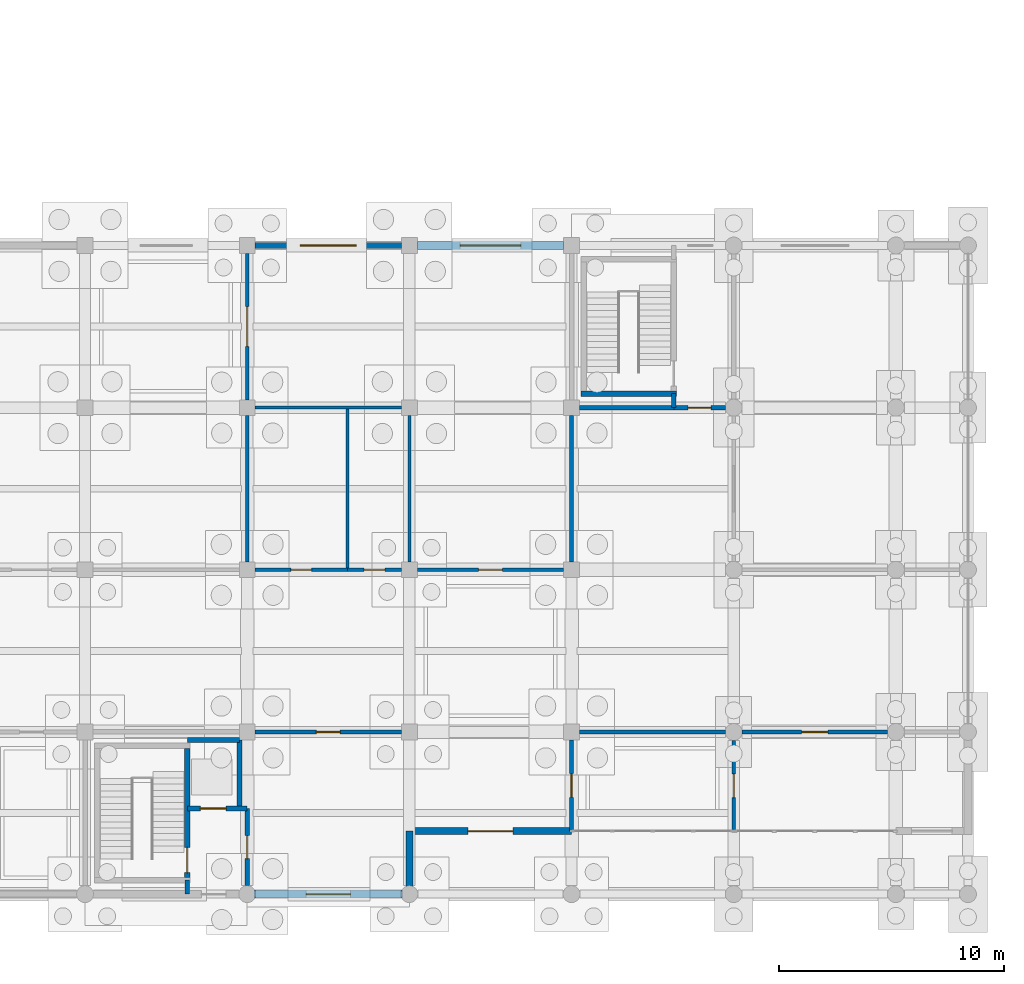
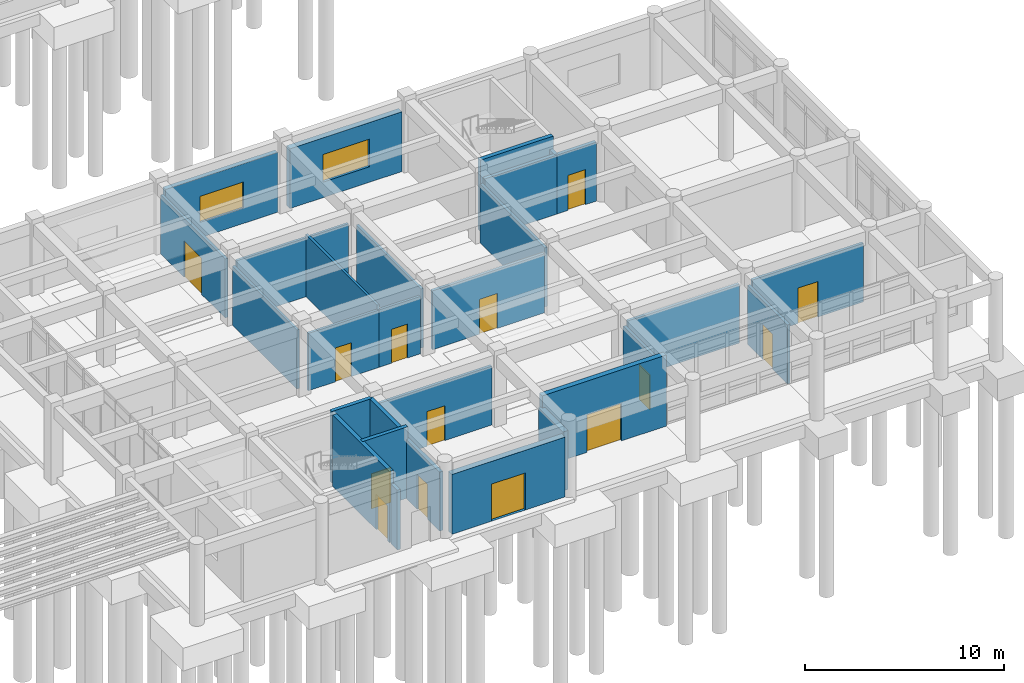
# One storey, part 66 of 79: 29 walls, 14 doors, 2 windows, 16 openings.
"""IFC4 building model written with IfcOpenShell, lengths in metres."""

import ifcopenshell
import ifcopenshell.guid

model = None  # the IFC model being written
_history = None  # IfcOwnerHistory: only IFC2X3 demands one
_inside = {}  # id of a spatial element -> (the spatial element, [elements in it])
_under = {}  # id of a project, library or spatial element -> (it, [spatial elements below it])
_declared = {}  # id of a project -> (the project, [libraries it declares])
_typed = {}  # id of a type object -> (the type object, [elements of that type])
_made_of = {}  # id of a material, layer set ... -> (it, [elements and type objects made of it])


def new_model(schema):
    """Start an empty IFC model of exactly this schema.

    Asked for "IFC4X3", IfcOpenShell would pick the latest addendum, in which some entities
    have other attributes; the version numbers below select the first issue.
    IFC2X3 requires an IfcOwnerHistory on every rooted entity: one is made here for all.
    """
    global model, _history
    if schema == "IFC4X3":
        model = ifcopenshell.file(schema_version=(4, 3, 0, 0))
    else:
        model = ifcopenshell.file(schema=schema)
    _inside.clear()
    _under.clear()
    _declared.clear()
    _typed.clear()
    _made_of.clear()
    _history = None
    if model.schema == "IFC2X3":
        org = make("IfcOrganization", Name="unknown")
        user = make(
            "IfcPersonAndOrganization",
            ThePerson=make("IfcPerson", FamilyName="unknown"),
            TheOrganization=org,
        )
        app = make(
            "IfcApplication",
            ApplicationDeveloper=org,
            Version="unknown",
            ApplicationFullName="unknown",
            ApplicationIdentifier="unknown",
        )
        _history = make(
            "IfcOwnerHistory",
            OwningUser=user,
            OwningApplication=app,
            ChangeAction="ADDED",
            CreationDate=0,
        )
    return model


def make(cls, **values):
    """One entity of the class cls with the attributes given. An attribute that is None is left unset."""
    return model.create_entity(
        cls, **{name: value for name, value in values.items() if value is not None}
    )


def rooted(cls, **values):
    """An entity with a GlobalId (a new one), such as an element, a storey or a relation."""
    return make(cls, GlobalId=ifcopenshell.guid.new(), OwnerHistory=_history, **values)


def si_unit(unit_type, name, prefix=None):
    """IfcSIUnit, for example si_unit("LENGTHUNIT", "METRE", prefix="MILLI")."""
    return make("IfcSIUnit", UnitType=unit_type, Prefix=prefix, Name=name)


def assignment(units):
    """IfcUnitAssignment: the units of a project."""
    return None if units is None else make("IfcUnitAssignment", Units=units)


def point(xyz):
    """IfcCartesianPoint."""
    return None if xyz is None else make("IfcCartesianPoint", Coordinates=xyz)


def direction(xyz):
    """IfcDirection."""
    return None if xyz is None else make("IfcDirection", DirectionRatios=xyz)


def frame(location, z_axis=None, x_axis=None):
    """IfcAxis2Placement3D, a coordinate frame: its origin and axes. An axis left out is left unset."""
    return make(
        "IfcAxis2Placement3D",
        Location=point(location),
        Axis=direction(z_axis),
        RefDirection=direction(x_axis),
    )


def frame_2d(location, x_axis=None):
    """IfcAxis2Placement2D, a coordinate frame in the plane: its origin and x axis."""
    return make(
        "IfcAxis2Placement2D", Location=point(location), RefDirection=direction(x_axis)
    )


def origin():
    """The frame at (0, 0, 0) with its axes left unset."""
    return frame((0.0, 0.0, 0.0))


def place(relative_to, where):
    """IfcLocalPlacement: puts the frame where relative to a parent placement (None: the world)."""
    return make(
        "IfcLocalPlacement", PlacementRelTo=relative_to, RelativePlacement=where
    )


def context(
    kind, dimensions, precision=None, world=None, true_north=None, identifier=None
):
    """IfcGeometricRepresentationContext, for example the 3D "Model" context."""
    return make(
        "IfcGeometricRepresentationContext",
        ContextIdentifier=identifier,
        ContextType=kind,
        CoordinateSpaceDimension=dimensions,
        Precision=precision,
        WorldCoordinateSystem=world,
        TrueNorth=true_north,
    )


def subcontext(parent, identifier, kind, view, scale=None):
    """IfcGeometricRepresentationSubContext, for example "Body" below "Model"."""
    return make(
        "IfcGeometricRepresentationSubContext",
        ContextIdentifier=identifier,
        ContextType=kind,
        ParentContext=parent,
        TargetScale=scale,
        TargetView=view,
    )


def project(units=None, contexts=None):
    """IfcProject with its units and contexts."""
    return rooted(
        "IfcProject",
        Name="project",
        RepresentationContexts=contexts,
        UnitsInContext=assignment(units),
    )


def spatial(cls, under=None, at=None, **own):
    """A site, building, storey or space (cls), placed at a placement, below another one or the project."""
    s = rooted(cls, ObjectPlacement=at, **own)
    if under is not None:
        _under.setdefault(under.id(), (under, []))[1].append(s)
    return s


def profile(cls, at=None, kind="AREA", **sizes):
    """A parametric profile (cls). Its sizes go by their IFC names, for example OverallWidth=200.0."""
    return make(cls, ProfileType=kind, Position=at, **sizes)


def rectangle(**sizes):
    """IfcRectangleProfileDef."""
    return profile("IfcRectangleProfileDef", **sizes)


def extrude(swept, where, along, depth):
    """IfcExtrudedAreaSolid: the profile swept, set in the frame where, extruded along a direction by depth."""
    return make(
        "IfcExtrudedAreaSolid",
        SweptArea=swept,
        Position=where,
        ExtrudedDirection=direction(along),
        Depth=depth,
    )


def shape(context_of_items, identifier, shape_type, items):
    """IfcShapeRepresentation: the items that make up one representation, for example the "Body"."""
    return make(
        "IfcShapeRepresentation",
        ContextOfItems=context_of_items,
        RepresentationIdentifier=identifier,
        RepresentationType=shape_type,
        Items=items,
    )


def material(Name=None, Category=None):
    """IfcMaterial."""
    return make("IfcMaterial", Name=Name, Category=Category)


def layer(
    of_material, thickness, ventilated=None, Name=None, Category=None, Priority=None
):
    """IfcMaterialLayer: one layer of a wall or slab, of a material (None: an air gap)."""
    return make(
        "IfcMaterialLayer",
        Material=of_material,
        LayerThickness=thickness,
        IsVentilated=ventilated,
        Name=Name,
        Category=Category,
        Priority=Priority,
    )


def layer_set(layers, Name=None):
    """IfcMaterialLayerSet."""
    return make("IfcMaterialLayerSet", MaterialLayers=layers, LayerSetName=Name)


def made_of(thing, what):
    """Note that an element or type object is made of a material, layer set ...; save() writes the relation."""
    if what is not None:
        _made_of.setdefault(what.id(), (what, []))[1].append(thing)
    return thing


def type_object(cls, material=None, **own):
    """A type object (cls), such as IfcWallType, which elements share."""
    return made_of(rooted(cls, **own), material)


def element(
    cls,
    number,
    at=None,
    inside=None,
    cuts=None,
    type_object=None,
    material=None,
    context=None,
    identifier="Body",
    shape_type=None,
    held_by="IfcProductDefinitionShape",
    body=None,
    shapes=None,
    **own,
):
    """One element of the class cls, such as IfcWall. Its Tag is "e" and its number.

    at: its placement. inside: the storey or other place that contains it. cuts: it is an
    opening in that element (IfcRelVoidsElement). A single representation is given by context,
    identifier, shape_type and body (its items); several are given by shapes. held_by: the class
    of the entity that holds the representations. save() writes the other relations.
    """
    e = rooted(cls, Tag="e%d" % number, ObjectPlacement=at, **own)
    if body is not None:
        shapes = [shape(context, identifier, shape_type, body)]
    if shapes is not None:
        e.Representation = make(held_by, Representations=shapes)
    if inside is not None:
        _inside.setdefault(inside.id(), (inside, []))[1].append(e)
    if cuts is not None:
        rooted(
            "IfcRelVoidsElement", RelatingBuildingElement=cuts, RelatedOpeningElement=e
        )
    if type_object is not None:
        _typed.setdefault(type_object.id(), (type_object, []))[1].append(e)
    return made_of(e, material)


def fill(opening, filler):
    """IfcRelFillsElement: the door or window that sits in an opening."""
    return rooted(
        "IfcRelFillsElement",
        RelatingOpeningElement=opening,
        RelatedBuildingElement=filler,
    )


def aggregate(whole, parts):
    """IfcRelAggregates: a whole, such as a stair, and the parts it consists of."""
    return rooted("IfcRelAggregates", RelatingObject=whole, RelatedObjects=parts)


def save(model, path):
    """Write the relations noted so far, then the file.

    IfcRelAggregates (storeys below a building ...), IfcRelContainedInSpatialStructure (elements
    in a storey), IfcRelDefinesByType, IfcRelAssociatesMaterial and IfcRelDeclares: one each for
    every whole, place, type object, material and project.
    """
    for whole, parts in _under.values():
        aggregate(whole, parts)
    for where, things in _inside.values():
        rooted(
            "IfcRelContainedInSpatialStructure",
            RelatedElements=things,
            RelatingStructure=where,
        )
    for kind, things in _typed.values():
        rooted("IfcRelDefinesByType", RelatedObjects=things, RelatingType=kind)
    for what, things in _made_of.values():
        rooted("IfcRelAssociatesMaterial", RelatedObjects=things, RelatingMaterial=what)
    for by, libraries in _declared.values():
        rooted("IfcRelDeclares", RelatingContext=by, RelatedDefinitions=libraries)
    model.write(path)


model = new_model("IFC4")

# Units and contexts
model_context = context("Model", 3, precision=1e-05, world=origin(), true_north=direction((0.0, 1.0)))
body_context = subcontext(model_context, "Body", "Model", "MODEL_VIEW")
ifc_project = project(units=[si_unit("LENGTHUNIT", "METRE"), si_unit("AREAUNIT", "SQUARE_METRE"), si_unit("VOLUMEUNIT", "CUBIC_METRE"), si_unit("PLANEANGLEUNIT", "RADIAN"), si_unit("MASSUNIT", "GRAM", prefix="KILO")], contexts=[model_context])

# Site, building, storey
site_placement = place(None, origin())
site = spatial("IfcSite", under=ifc_project, at=site_placement, CompositionType="ELEMENT")
building_placement = place(site_placement, origin())
building = spatial("IfcBuilding", under=site, at=building_placement, Name="Kavelor Marine Aquarium", CompositionType="ELEMENT")
storey_placement = place(building_placement, origin())
storey = spatial("IfcBuildingStorey", under=building, at=storey_placement, Name="L00", CompositionType="ELEMENT", Elevation=0.0)

# Wall, opening, door
ifc_material_1 = material(Name="Concrete C45/55", Category="concrete")
ifc_layer_1 = layer(ifc_material_1, 0.360107421875)
ifc_layer_set_1 = layer_set([ifc_layer_1], Name="WL-EX1")
wall_type_1 = type_object("IfcWallType", Name="WL-EX1", PredefinedType="STANDARD", material=ifc_layer_set_1)
wall_1_placement = place(storey_placement, frame((139.68994140625, 2.800048828125, 0.0), z_axis=(0.0, 0.0, 1.0), x_axis=(-1.0, 0.0, 0.0)))
wall_1 = element("IfcWall", 1, at=wall_1_placement, inside=storey, type_object=wall_type_1, Name="ew:x:L00:18_00", PredefinedType="STANDARD", context=body_context, shape_type="SweptSolid", body=[
    extrude(rectangle(XDim=6.579833984375, YDim=0.360107421875, at=frame_2d((3.2900390625, 0.0))), origin(), (0.0, 0.0, 1.0), 3.669921875),
])
opening_1_placement = place(wall_1_placement, frame((2.31005859375, 0.0, 0.0)))
opening_1 = element("IfcOpeningElement", 2, at=opening_1_placement, cuts=wall_1, Name="Opening ED05", PredefinedType="OPENING", context=body_context, shape_type="SweptSolid", body=[
    extrude(rectangle(XDim=1.9599609375, YDim=2.280029296875, at=frame_2d((0.97998046875, 1.14013671875))), frame((0.0, 0.18994140625, 0.0), z_axis=(0.0, -1.0, 0.0), x_axis=(1.0, 0.0, 0.0)), (0.0, 0.0, 1.0), 0.380107),
])
ifc_material_2 = material(Name="Marine-Grade Anodised Aluminium and Laminated Safety Glass", Category="aluminium")
door_type_1 = type_object("IfcDoorType", Name="DR-ED05", OperationType="NOTDEFINED", PredefinedType="DOOR", material=ifc_material_2)
door_1_placement = place(opening_1_placement, origin())
door_1 = element("IfcDoor", 3, at=door_1_placement, inside=storey, type_object=door_type_1, Name="Pedestrian Final Exit Door ED05", OperationType="DOUBLE_DOOR_SINGLE_SWING", OverallHeight=2.280029296875, OverallWidth=1.9599609375, PredefinedType="DOOR", context=body_context, shape_type="SweptSolid", body=[
    extrude(rectangle(XDim=1.9599609375, YDim=2.280029296875, at=frame_2d((0.97998046875, 1.14013671875))), frame((0.0, 0.02490234375, 0.0), z_axis=(0.0, -1.0, 0.0), x_axis=(1.0, 0.0, 0.0)), (0.0, 0.0, 1.0), 0.050048828125),
])
fill(opening_1, door_1)

# Wall
ifc_material_3 = material(Name="Concrete C45/55", Category="concrete")
ifc_layer_2 = layer(ifc_material_3, 0.320068359375)
ifc_layer_set_2 = layer_set([ifc_layer_2], Name="WL-EX2")
wall_type_2 = type_object("IfcWallType", Name="WL-EX2", PredefinedType="STANDARD", material=ifc_layer_set_2)
wall_2_placement = place(storey_placement, frame((140.0, 5.60009765625, 0.0), z_axis=(0.0, 0.0, 1.0), x_axis=(0.0, -1.0, 0.0)))
element("IfcWall", 4, at=wall_2_placement, inside=storey, type_object=wall_type_2, Name="ew:arc:v3s:ret_w", PredefinedType="STANDARD", context=body_context, shape_type="SweptSolid", body=[
    extrude(rectangle(XDim=2.47998046875, YDim=0.300048828125, at=frame_2d((1.239990234375, 0.0))), origin(), (0.0, 0.0, 1.0), 3.6201171875),
])

# Wall, opening, door
wall_3_placement = place(storey_placement, frame((147.199951171875, 5.60009765625, 0.0), z_axis=(0.0, 0.0, 1.0), x_axis=(-1.0, 0.0, 0.0)))
wall_3 = element("IfcWall", 5, at=wall_3_placement, inside=storey, type_object=wall_type_2, Name="ew:arc:v3s:19", PredefinedType="STANDARD", context=body_context, shape_type="SweptSolid", body=[
    extrude(rectangle(XDim=7.199951171875, YDim=0.300048828125, at=frame_2d((3.60009765625, 0.0))), origin(), (0.0, 0.0, 1.0), 4.3701171875),
])
opening_2_placement = place(wall_3_placement, frame((2.60009765625, 0.0, 0.0)))
opening_2 = element("IfcOpeningElement", 6, at=opening_2_placement, cuts=wall_3, Name="Opening ED06", PredefinedType="OPENING", context=body_context, shape_type="SweptSolid", body=[
    extrude(rectangle(XDim=2.0, YDim=2.300048828125, at=frame_2d((1.0, 1.14990234375))), frame((0.0, 0.159912109375, 0.0), z_axis=(0.0, -1.0, 0.0), x_axis=(1.0, 0.0, 0.0)), (0.0, 0.0, 1.0), 0.320049),
])
ifc_material_4 = material(Name="Marine-Grade Anodised Aluminium and Laminated Safety Glass", Category="aluminium")
door_type_2 = type_object("IfcDoorType", Name="DR-ED06", OperationType="NOTDEFINED", PredefinedType="DOOR", material=ifc_material_4)
door_2_placement = place(opening_2_placement, origin())
door_2 = element("IfcDoor", 7, at=door_2_placement, inside=storey, type_object=door_type_2, Name="Education Arcade Entrance Door ED06", OperationType="DOUBLE_DOOR_SINGLE_SWING", OverallHeight=2.300048828125, OverallWidth=2.0, PredefinedType="DOOR", context=body_context, shape_type="SweptSolid", body=[
    extrude(rectangle(XDim=2.0, YDim=2.300048828125, at=frame_2d((1.0, 1.14990234375))), frame((0.0, 0.02490234375, 0.0), z_axis=(0.0, -1.0, 0.0), x_axis=(1.0, 0.0, 0.0)), (0.0, 0.0, 1.0), 0.050048828125),
])
fill(opening_2, door_2)

# Wall, opening, window
ifc_material_5 = material(Name="Concrete C40/50", Category="concrete")
ifc_layer_3 = layer(ifc_material_5, 0.260009765625)
ifc_layer_set_3 = layer_set([ifc_layer_3], Name="WL-EX5")
wall_type_3 = type_object("IfcWallType", Name="WL-EX5", PredefinedType="STANDARD", material=ifc_layer_set_3)
wall_4_placement = place(storey_placement, frame((133.14501953125, 31.60009765625, 0.0), z_axis=(0.0, 0.0, 1.0), x_axis=(1.0, 0.0, 0.0)))
wall_4 = element("IfcWall", 8, at=wall_4_placement, inside=storey, type_object=wall_type_3, Name="ew:x:L00:18_04", PredefinedType="STANDARD", context=body_context, shape_type="SweptSolid", body=[
    extrude(rectangle(XDim=6.510009765625, YDim=0.260009765625, at=frame_2d((3.2548828125, 0.0))), origin(), (0.0, 0.0, 1.0), 3.669921875),
])
opening_3_placement = place(wall_4_placement, frame((2.0048828125, 0.0, 0.949951171875)))
opening_3 = element("IfcOpeningElement", 9, at=opening_3_placement, cuts=wall_4, Name="Opening W15", PredefinedType="OPENING", context=body_context, shape_type="SweptSolid", body=[
    extrude(rectangle(XDim=2.5, YDim=1.60009765625, at=frame_2d((1.25, 0.800048828125))), frame((0.0, 0.139892578125, 0.0), z_axis=(0.0, -1.0, 0.0), x_axis=(1.0, 0.0, 0.0)), (0.0, 0.0, 1.0), 0.28001),
])
ifc_material_6 = material(Name="Anodised Aluminium Frame with Low-E Double Glazing", Category="aluminium")
window_type_1 = type_object("IfcWindowType", Name="WIN-W15", PartitioningType="DOUBLE_PANEL_VERTICAL", PredefinedType="WINDOW", material=ifc_material_6)
window_1_placement = place(opening_3_placement, origin())
window_1 = element("IfcWindow", 10, at=window_1_placement, inside=storey, type_object=window_type_1, Name="win:x:L00:18_04", OverallHeight=1.60009765625, OverallWidth=2.5, PartitioningType="SINGLE_PANEL", PredefinedType="WINDOW", context=body_context, shape_type="SweptSolid", body=[
    extrude(rectangle(XDim=2.5, YDim=1.60009765625, at=frame_2d((1.25, 0.800048828125))), frame((0.0, 0.030029296875, 0.0), z_axis=(0.0, -1.0, 0.0), x_axis=(1.0, 0.0, 0.0)), (0.0, 0.0, 1.0), 0.06005859375),
])
fill(opening_3, window_1)

ifc_material_7 = material(Name="Concrete C45/55", Category="concrete")
ifc_layer_4 = layer(ifc_material_7, 0.340087890625)
ifc_layer_set_4 = layer_set([ifc_layer_4], Name="WL-EX6")
wall_type_4 = type_object("IfcWallType", Name="WL-EX6", PredefinedType="STANDARD", material=ifc_layer_set_4)
wall_5_placement = place(storey_placement, frame((140.344970703125, 31.60009765625, 0.0), z_axis=(0.0, 0.0, 1.0), x_axis=(1.0, 0.0, 0.0)))
wall_5 = element("IfcWall", 11, at=wall_5_placement, inside=storey, type_object=wall_type_4, Name="ew:x:L00:19_04", PredefinedType="STANDARD", context=body_context, shape_type="SweptSolid", body=[
    extrude(rectangle(XDim=6.510009765625, YDim=0.340087890625, at=frame_2d((3.2548828125, 0.0))), origin(), (0.0, 0.0, 1.0), 3.669921875),
])
opening_4_placement = place(wall_5_placement, frame((1.905029296875, 0.0, 0.949951171875)))
opening_4 = element("IfcOpeningElement", 12, at=opening_4_placement, cuts=wall_5, Name="Opening W17", PredefinedType="OPENING", context=body_context, shape_type="SweptSolid", body=[
    extrude(rectangle(XDim=2.699951171875, YDim=1.699951171875, at=frame_2d((1.35009765625, 0.85009765625))), frame((0.0, 0.179931640625, 0.0), z_axis=(0.0, -1.0, 0.0), x_axis=(1.0, 0.0, 0.0)), (0.0, 0.0, 1.0), 0.360088),
])
ifc_material_8 = material(Name="Anodised Aluminium Frame with Low-E Double Glazing", Category="aluminium")
window_type_2 = type_object("IfcWindowType", Name="WIN-W17", PartitioningType="DOUBLE_PANEL_VERTICAL", PredefinedType="WINDOW", material=ifc_material_8)
window_2_placement = place(opening_4_placement, origin())
window_2 = element("IfcWindow", 13, at=window_2_placement, inside=storey, type_object=window_type_2, Name="win:x:L00:19_04", OverallHeight=1.699951171875, OverallWidth=2.699951171875, PartitioningType="SINGLE_PANEL", PredefinedType="WINDOW", context=body_context, shape_type="SweptSolid", body=[
    extrude(rectangle(XDim=2.699951171875, YDim=1.699951171875, at=frame_2d((1.35009765625, 0.85009765625))), frame((0.0, 0.030029296875, 0.0), z_axis=(0.0, -1.0, 0.0), x_axis=(1.0, 0.0, 0.0)), (0.0, 0.0, 1.0), 0.06005859375),
])
fill(opening_4, window_2)

# Wall
ifc_material_9 = material(Name="Concrete Blockwork Partition", Category="masonry")
ifc_layer_5 = layer(ifc_material_9, 0.199951171875)
ifc_layer_set_5 = layer_set([ifc_layer_5], Name="WL-PT1")
wall_type_5 = type_object("IfcWallType", Name="WL-PT1", PredefinedType="PARTITIONING", material=ifc_layer_set_5)
wall_6_placement = place(storey_placement, frame((130.139892578125, 2.800048828125, 0.0), z_axis=(0.0, 0.0, 1.0), x_axis=(0.0, 1.0, 0.0)))
element("IfcWall", 14, at=wall_6_placement, inside=storey, type_object=wall_type_5, Name="pt:st_close:s:C08:L00", PredefinedType="PARTITIONING", context=body_context, shape_type="SweptSolid", body=[
    extrude(rectangle(XDim=0.619873046875, YDim=0.199951171875, at=frame_2d((0.31005859375, 0.0))), origin(), (0.0, 0.0, 1.0), 3.669921875),
])

# Wall, opening, door
wall_7_placement = place(storey_placement, frame((132.800048828125, 3.175048828125, 0.0), z_axis=(0.0, 0.0, 1.0), x_axis=(0.0, 1.0, 0.0)))
wall_7 = element("IfcWall", 15, at=wall_7_placement, inside=storey, type_object=wall_type_5, Name="pt:lob:C08:L00:e", PredefinedType="PARTITIONING", context=body_context, shape_type="SweptSolid", body=[
    extrude(rectangle(XDim=3.425048828125, YDim=0.199951171875, at=frame_2d((1.71240234375, 0.0))), origin(), (0.0, 0.0, 1.0), 3.6201171875),
])
opening_5_placement = place(wall_7_placement, frame((1.202392578125, 0.0, 0.0)))
opening_5 = element("IfcOpeningElement", 16, at=opening_5_placement, cuts=wall_7, Name="Opening SD1", PredefinedType="OPENING", context=body_context, shape_type="SweptSolid", body=[
    extrude(rectangle(XDim=1.02001953125, YDim=2.14990234375, at=frame_2d((0.510009765625, 1.074951171875))), frame((0.0, 0.10986328125, 0.0), z_axis=(0.0, -1.0, 0.0), x_axis=(1.0, 0.0, 0.0)), (0.0, 0.0, 1.0), 0.219951),
])
ifc_material_10 = material(Name="Fire-Rated Corridor Compartment Door")
door_type_3 = type_object("IfcDoorType", Name="DR-SD1", OperationType="NOTDEFINED", PredefinedType="DOOR", material=ifc_material_10)
door_3_placement = place(opening_5_placement, origin())
door_3 = element("IfcDoor", 17, at=door_3_placement, inside=storey, type_object=door_type_3, Name="Core Lobby Fire Door C08-L00", OperationType="SINGLE_SWING_RIGHT", OverallHeight=2.14990234375, OverallWidth=1.02001953125, PredefinedType="DOOR", context=body_context, shape_type="SweptSolid", body=[
    extrude(rectangle(XDim=1.02001953125, YDim=2.14990234375, at=frame_2d((0.510009765625, 1.074951171875))), frame((0.0, 0.02490234375, 0.0), z_axis=(0.0, -1.0, 0.0), x_axis=(1.0, 0.0, 0.0)), (0.0, 0.0, 1.0), 0.050048828125),
])
fill(opening_5, door_3)

# Walls
wall_8_placement = place(storey_placement, frame((151.739990234375, 24.39990234375, 0.0), z_axis=(0.0, 0.0, 1.0), x_axis=(0.0, 1.0, 0.0)))
element("IfcWall", 18, at=wall_8_placement, inside=storey, type_object=wall_type_5, Name="pt:st_close:s:C09:L00", PredefinedType="PARTITIONING", context=body_context, shape_type="SweptSolid", body=[
    extrude(rectangle(XDim=0.6201171875, YDim=0.199951171875, at=frame_2d((0.31005859375, 0.0))), origin(), (0.0, 0.0, 1.0), 3.6201171875),
])
wall_9_placement = place(storey_placement, frame((147.550048828125, 24.39990234375, 0.0), z_axis=(0.0, 0.0, 1.0), x_axis=(1.0, 0.0, 0.0)))
element("IfcWall", 19, at=wall_9_placement, inside=storey, type_object=wall_type_5, Name="pt:lob:C09:L00:s_st", PredefinedType="PARTITIONING", context=body_context, shape_type="SweptSolid", body=[
    extrude(rectangle(XDim=4.18994140625, YDim=0.199951171875, at=frame_2d((2.094970703125, 0.0))), origin(), (0.0, 0.0, 1.0), 3.6201171875),
])

# Wall, opening, door
wall_10_placement = place(storey_placement, frame((151.739990234375, 24.39990234375, 0.0), z_axis=(0.0, 0.0, 1.0), x_axis=(1.0, 0.0, 0.0)))
wall_10 = element("IfcWall", 20, at=wall_10_placement, inside=storey, type_object=wall_type_5, Name="pt:lob:C09:L00:s", PredefinedType="PARTITIONING", context=body_context, shape_type="SweptSolid", body=[
    extrude(rectangle(XDim=2.284912109375, YDim=0.199951171875, at=frame_2d((1.142578125, 0.0))), origin(), (0.0, 0.0, 1.0), 3.6201171875),
])
opening_6_placement = place(wall_10_placement, frame((0.632568359375, 0.0, 0.0)))
opening_6 = element("IfcOpeningElement", 21, at=opening_6_placement, cuts=wall_10, Name="Opening SD1", PredefinedType="OPENING", context=body_context, shape_type="SweptSolid", body=[
    extrude(rectangle(XDim=1.02001953125, YDim=2.14990234375, at=frame_2d((0.510009765625, 1.074951171875))), frame((0.0, 0.10986328125, 0.0), z_axis=(0.0, -1.0, 0.0), x_axis=(1.0, 0.0, 0.0)), (0.0, 0.0, 1.0), 0.219951),
])
door_4_placement = place(opening_6_placement, origin())
door_4 = element("IfcDoor", 22, at=door_4_placement, inside=storey, type_object=door_type_3, Name="Core Lobby Fire Door C09-L00", OperationType="SINGLE_SWING_RIGHT", OverallHeight=2.14990234375, OverallWidth=1.02001953125, PredefinedType="DOOR", context=body_context, shape_type="SweptSolid", body=[
    extrude(rectangle(XDim=1.02001953125, YDim=2.14990234375, at=frame_2d((0.510009765625, 1.074951171875))), frame((0.0, 0.02490234375, 0.0), z_axis=(0.0, -1.0, 0.0), x_axis=(1.0, 0.0, 0.0)), (0.0, 0.0, 1.0), 0.050048828125),
])
fill(opening_6, door_4)

ifc_material_11 = material(Name="Acoustic Gypsum Stud Partition")
ifc_layer_6 = layer(ifc_material_11, 0.159912109375)
ifc_layer_set_6 = layer_set([ifc_layer_6], Name="WL-PT2")
wall_type_6 = type_object("IfcWallType", Name="WL-PT2", PredefinedType="PARTITIONING", material=ifc_layer_set_6)
wall_11_placement = place(storey_placement, frame((132.800048828125, 24.75, 0.0), z_axis=(0.0, 0.0, 1.0), x_axis=(0.0, 1.0, 0.0)))
wall_11 = element("IfcWall", 23, at=wall_11_placement, inside=storey, type_object=wall_type_6, Name="pt:y:L00:17_03", PredefinedType="PARTITIONING", context=body_context, shape_type="SweptSolid", body=[
    extrude(rectangle(XDim=6.5, YDim=0.159912109375, at=frame_2d((3.25, 0.0))), origin(), (0.0, 0.0, 1.0), 3.6201171875),
])
opening_7_placement = place(wall_11_placement, frame((2.3701171875, 0.0, 0.0)))
opening_7 = element("IfcOpeningElement", 24, at=opening_7_placement, cuts=wall_11, Name="Opening D04", PredefinedType="OPENING", context=body_context, shape_type="SweptSolid", body=[
    extrude(rectangle(XDim=1.760009765625, YDim=2.219970703125, at=frame_2d((0.8798828125, 1.10986328125))), frame((0.0, 0.08984375, 0.0), z_axis=(0.0, -1.0, 0.0), x_axis=(1.0, 0.0, 0.0)), (0.0, 0.0, 1.0), 0.179912),
])
ifc_material_12 = material(Name="Glazed Aluminium Lecture Hall Double Door", Category="aluminium")
door_type_4 = type_object("IfcDoorType", Name="DR-D04", OperationType="NOTDEFINED", PredefinedType="DOOR", material=ifc_material_12)
door_5_placement = place(opening_7_placement, origin())
door_5 = element("IfcDoor", 25, at=door_5_placement, inside=storey, type_object=door_type_4, Name="dr:rm:pt:y:L00:17_03:0", OperationType="DOUBLE_DOOR_SINGLE_SWING", OverallHeight=2.219970703125, OverallWidth=1.760009765625, PredefinedType="DOOR", context=body_context, shape_type="SweptSolid", body=[
    extrude(rectangle(XDim=1.760009765625, YDim=2.219970703125, at=frame_2d((0.8798828125, 1.10986328125))), frame((0.0, 0.02490234375, 0.0), z_axis=(0.0, -1.0, 0.0), x_axis=(1.0, 0.0, 0.0)), (0.0, 0.0, 1.0), 0.050048828125),
])
fill(opening_7, door_5)

wall_12_placement = place(storey_placement, frame((133.14990234375, 10.0, 0.0), z_axis=(0.0, 0.0, 1.0), x_axis=(1.0, 0.0, 0.0)))
wall_12 = element("IfcWall", 26, at=wall_12_placement, inside=storey, type_object=wall_type_6, Name="pt:x:L00:18_00", PredefinedType="PARTITIONING", context=body_context, shape_type="SweptSolid", body=[
    extrude(rectangle(XDim=6.5, YDim=0.159912109375, at=frame_2d((3.25, 0.0))), origin(), (0.0, 0.0, 1.0), 3.6201171875),
])
opening_8_placement = place(wall_12_placement, frame((2.72509765625, 0.0, 0.0)))
opening_8 = element("IfcOpeningElement", 27, at=opening_8_placement, cuts=wall_12, Name="Opening D05", PredefinedType="OPENING", context=body_context, shape_type="SweptSolid", body=[
    extrude(rectangle(XDim=1.050048828125, YDim=2.139892578125, at=frame_2d((0.52490234375, 1.06982421875))), frame((0.0, 0.08984375, 0.0), z_axis=(0.0, -1.0, 0.0), x_axis=(1.0, 0.0, 0.0)), (0.0, 0.0, 1.0), 0.179912),
])
ifc_material_13 = material(Name="Classroom Vision-Panel Timber Door", Category="wood")
door_type_5 = type_object("IfcDoorType", Name="DR-D05", OperationType="NOTDEFINED", PredefinedType="DOOR", material=ifc_material_13)
door_6_placement = place(opening_8_placement, origin())
door_6 = element("IfcDoor", 28, at=door_6_placement, inside=storey, type_object=door_type_5, Name="dr:rm:pt:x:L00:18_00:0", OperationType="SINGLE_SWING_LEFT", OverallHeight=2.139892578125, OverallWidth=1.050048828125, PredefinedType="DOOR", context=body_context, shape_type="SweptSolid", body=[
    extrude(rectangle(XDim=1.050048828125, YDim=2.139892578125, at=frame_2d((0.52490234375, 1.06982421875))), frame((0.0, 0.02490234375, 0.0), z_axis=(0.0, -1.0, 0.0), x_axis=(1.0, 0.0, 0.0)), (0.0, 0.0, 1.0), 0.050048828125),
])
fill(opening_8, door_6)

wall_13_placement = place(storey_placement, frame((147.199951171875, 5.60009765625, 0.0), z_axis=(0.0, 0.0, 1.0), x_axis=(0.0, 1.0, 0.0)))
wall_13 = element("IfcWall", 29, at=wall_13_placement, inside=storey, type_object=wall_type_6, Name="pt:y:L00:19_00", PredefinedType="PARTITIONING", context=body_context, shape_type="SweptSolid", body=[
    extrude(rectangle(XDim=4.0498046875, YDim=0.159912109375, at=frame_2d((2.02490234375, 0.0))), origin(), (0.0, 0.0, 1.0), 3.6201171875),
])
opening_9_placement = place(wall_13_placement, frame((1.5, 0.0, 0.0)))
opening_9 = element("IfcOpeningElement", 30, at=opening_9_placement, cuts=wall_13, Name="Opening D05", PredefinedType="OPENING", context=body_context, shape_type="SweptSolid", body=[
    extrude(rectangle(XDim=1.050048828125, YDim=2.139892578125, at=frame_2d((0.52490234375, 1.06982421875))), frame((0.0, 0.08984375, 0.0), z_axis=(0.0, -1.0, 0.0), x_axis=(1.0, 0.0, 0.0)), (0.0, 0.0, 1.0), 0.179912),
])
door_7_placement = place(opening_9_placement, origin())
door_7 = element("IfcDoor", 31, at=door_7_placement, inside=storey, type_object=door_type_5, Name="dr:rm:pt:y:L00:19_00:0", OperationType="SINGLE_SWING_LEFT", OverallHeight=2.139892578125, OverallWidth=1.050048828125, PredefinedType="DOOR", context=body_context, shape_type="SweptSolid", body=[
    extrude(rectangle(XDim=1.050048828125, YDim=2.139892578125, at=frame_2d((0.52490234375, 1.06982421875))), frame((0.0, 0.02490234375, 0.0), z_axis=(0.0, -1.0, 0.0), x_axis=(1.0, 0.0, 0.0)), (0.0, 0.0, 1.0), 0.050048828125),
])
fill(opening_9, door_7)

wall_14_placement = place(storey_placement, frame((140.35009765625, 17.199951171875, 0.0), z_axis=(0.0, 0.0, 1.0), x_axis=(1.0, 0.0, 0.0)))
wall_14 = element("IfcWall", 32, at=wall_14_placement, inside=storey, type_object=wall_type_6, Name="pt:x:L00:19_01", PredefinedType="PARTITIONING", context=body_context, shape_type="SweptSolid", body=[
    extrude(rectangle(XDim=6.5, YDim=0.159912109375, at=frame_2d((3.25, 0.0))), origin(), (0.0, 0.0, 1.0), 3.6201171875),
])
opening_10_placement = place(wall_14_placement, frame((2.72509765625, 0.0, 0.0)))
opening_10 = element("IfcOpeningElement", 33, at=opening_10_placement, cuts=wall_14, Name="Opening D05", PredefinedType="OPENING", context=body_context, shape_type="SweptSolid", body=[
    extrude(rectangle(XDim=1.050048828125, YDim=2.139892578125, at=frame_2d((0.52490234375, 1.06982421875))), frame((0.0, 0.08984375, 0.0), z_axis=(0.0, -1.0, 0.0), x_axis=(1.0, 0.0, 0.0)), (0.0, 0.0, 1.0), 0.179912),
])
door_8_placement = place(opening_10_placement, origin())
door_8 = element("IfcDoor", 34, at=door_8_placement, inside=storey, type_object=door_type_5, Name="dr:rm:pt:x:L00:19_01:0", OperationType="SINGLE_SWING_RIGHT", OverallHeight=2.139892578125, OverallWidth=1.050048828125, PredefinedType="DOOR", context=body_context, shape_type="SweptSolid", body=[
    extrude(rectangle(XDim=1.050048828125, YDim=2.139892578125, at=frame_2d((0.52490234375, 1.06982421875))), frame((0.0, 0.02490234375, 0.0), z_axis=(0.0, -1.0, 0.0), x_axis=(1.0, 0.0, 0.0)), (0.0, 0.0, 1.0), 0.050048828125),
])
fill(opening_10, door_8)

# Wall
wall_15_placement = place(storey_placement, frame((147.199951171875, 17.550048828125, 0.0), z_axis=(0.0, 0.0, 1.0), x_axis=(0.0, 1.0, 0.0)))
element("IfcWall", 35, at=wall_15_placement, inside=storey, type_object=wall_type_6, Name="pt:y:L00:19_02", PredefinedType="PARTITIONING", context=body_context, shape_type="SweptSolid", body=[
    extrude(rectangle(XDim=6.5, YDim=0.159912109375, at=frame_2d((3.25, 0.0))), origin(), (0.0, 0.0, 1.0), 3.6201171875),
])

# Wall, opening, door
wall_16_placement = place(storey_placement, frame((154.39990234375, 5.60009765625, 0.0), z_axis=(0.0, 0.0, 1.0), x_axis=(0.0, 1.0, 0.0)))
wall_16 = element("IfcWall", 36, at=wall_16_placement, inside=storey, type_object=wall_type_6, Name="pt:y:L00:20_00", PredefinedType="PARTITIONING", context=body_context, shape_type="SweptSolid", body=[
    extrude(rectangle(XDim=4.02490234375, YDim=0.159912109375, at=frame_2d((2.012451171875, 0.0))), origin(), (0.0, 0.0, 1.0), 3.6201171875),
])
opening_11_placement = place(wall_16_placement, frame((1.487548828125, 0.0, 0.0)))
opening_11 = element("IfcOpeningElement", 37, at=opening_11_placement, cuts=wall_16, Name="Opening D05", PredefinedType="OPENING", context=body_context, shape_type="SweptSolid", body=[
    extrude(rectangle(XDim=1.050048828125, YDim=2.139892578125, at=frame_2d((0.52490234375, 1.06982421875))), frame((0.0, 0.08984375, 0.0), z_axis=(0.0, -1.0, 0.0), x_axis=(1.0, 0.0, 0.0)), (0.0, 0.0, 1.0), 0.179912),
])
door_9_placement = place(opening_11_placement, origin())
door_9 = element("IfcDoor", 38, at=door_9_placement, inside=storey, type_object=door_type_5, Name="dr:rm:pt:y:L00:20_00:0", OperationType="SINGLE_SWING_LEFT", OverallHeight=2.139892578125, OverallWidth=1.050048828125, PredefinedType="DOOR", context=body_context, shape_type="SweptSolid", body=[
    extrude(rectangle(XDim=1.050048828125, YDim=2.139892578125, at=frame_2d((0.52490234375, 1.06982421875))), frame((0.0, 0.02490234375, 0.0), z_axis=(0.0, -1.0, 0.0), x_axis=(1.0, 0.0, 0.0)), (0.0, 0.0, 1.0), 0.050048828125),
])
fill(opening_11, door_9)

# Wall
wall_17_placement = place(storey_placement, frame((147.550048828125, 10.0, 0.0), z_axis=(0.0, 0.0, 1.0), x_axis=(1.0, 0.0, 0.0)))
element("IfcWall", 39, at=wall_17_placement, inside=storey, type_object=wall_type_6, Name="pt:x:L00:20_00", PredefinedType="PARTITIONING", context=body_context, shape_type="SweptSolid", body=[
    extrude(rectangle(XDim=6.474853515625, YDim=0.159912109375, at=frame_2d((3.2373046875, 0.0))), origin(), (0.0, 0.0, 1.0), 3.6201171875),
])

# Wall, opening, door
wall_18_placement = place(storey_placement, frame((154.77490234375, 10.0, 0.0), z_axis=(0.0, 0.0, 1.0), x_axis=(1.0, 0.0, 0.0)))
wall_18 = element("IfcWall", 40, at=wall_18_placement, inside=storey, type_object=wall_type_6, Name="pt:x:L00:21_00", PredefinedType="PARTITIONING", context=body_context, shape_type="SweptSolid", body=[
    extrude(rectangle(XDim=6.4501953125, YDim=0.159912109375, at=frame_2d((3.22509765625, 0.0))), origin(), (0.0, 0.0, 1.0), 3.60009765625),
])
opening_12_placement = place(wall_18_placement, frame((2.64501953125, 0.0, 0.0)))
opening_12 = element("IfcOpeningElement", 41, at=opening_12_placement, cuts=wall_18, Name="Opening D09", PredefinedType="OPENING", context=body_context, shape_type="SweptSolid", body=[
    extrude(rectangle(XDim=1.159912109375, YDim=2.179931640625, at=frame_2d((0.580078125, 1.08984375))), frame((0.0, 0.08984375, 0.0), z_axis=(0.0, -1.0, 0.0), x_axis=(1.0, 0.0, 0.0)), (0.0, 0.0, 1.0), 0.179912),
])
ifc_material_14 = material(Name="Husbandry Prep Marine Door")
door_type_6 = type_object("IfcDoorType", Name="DR-D09", OperationType="NOTDEFINED", PredefinedType="DOOR", material=ifc_material_14)
door_10_placement = place(opening_12_placement, origin())
door_10 = element("IfcDoor", 42, at=door_10_placement, inside=storey, type_object=door_type_6, Name="dr:rm:pt:x:L00:21_00:0", OperationType="SINGLE_SWING_RIGHT", OverallHeight=2.179931640625, OverallWidth=1.159912109375, PredefinedType="DOOR", context=body_context, shape_type="SweptSolid", body=[
    extrude(rectangle(XDim=1.159912109375, YDim=2.179931640625, at=frame_2d((0.580078125, 1.08984375))), frame((0.0, 0.02490234375, 0.0), z_axis=(0.0, -1.0, 0.0), x_axis=(1.0, 0.0, 0.0)), (0.0, 0.0, 1.0), 0.050048828125),
])
fill(opening_12, door_10)

# Wall
ifc_material_15 = material(Name="Moisture-Resistant Marine Partition")
ifc_layer_7 = layer(ifc_material_15, 0.139892578125)
ifc_layer_set_7 = layer_set([ifc_layer_7], Name="WL-PT3")
wall_type_7 = type_object("IfcWallType", Name="WL-PT3", PredefinedType="PARTITIONING", material=ifc_layer_set_7)
wall_19_placement = place(storey_placement, frame((137.25, 17.199951171875, 0.0), z_axis=(0.0, 0.0, 1.0), x_axis=(0.0, 1.0, 0.0)))
element("IfcWall", 43, at=wall_19_placement, inside=storey, type_object=wall_type_7, Name="pt:san:div:L00:18_02", PredefinedType="PARTITIONING", context=body_context, shape_type="SweptSolid", body=[
    extrude(rectangle(XDim=7.199951171875, YDim=0.139892578125, at=frame_2d((3.60009765625, 0.0))), origin(), (0.0, 0.0, 1.0), 3.800048828125),
])

# Wall, opening, door
wall_20_placement = place(storey_placement, frame((133.14990234375, 17.199951171875, 0.0), z_axis=(0.0, 0.0, 1.0), x_axis=(1.0, 0.0, 0.0)))
wall_20 = element("IfcWall", 44, at=wall_20_placement, inside=storey, type_object=wall_type_7, Name="pt:san:f1:L00:18_02", PredefinedType="PARTITIONING", context=body_context, shape_type="SweptSolid", body=[
    extrude(rectangle(XDim=4.10009765625, YDim=0.139892578125, at=frame_2d((2.050048828125, 0.0))), origin(), (0.0, 0.0, 1.0), 3.52001953125),
])
opening_13_placement = place(wall_20_placement, frame((1.590087890625, 0.0, 0.0)))
opening_13 = element("IfcOpeningElement", 45, at=opening_13_placement, cuts=wall_20, Name="Opening D02", PredefinedType="OPENING", context=body_context, shape_type="SweptSolid", body=[
    extrude(rectangle(XDim=0.919921875, YDim=2.080078125, at=frame_2d((0.4599609375, 1.0400390625))), frame((0.0, 0.079833984375, 0.0), z_axis=(0.0, -1.0, 0.0), x_axis=(1.0, 0.0, 0.0)), (0.0, 0.0, 1.0), 0.159893),
])
ifc_material_16 = material(Name="Moisture-Resistant Laminate Sanitary Door")
door_type_7 = type_object("IfcDoorType", Name="DR-D02", OperationType="NOTDEFINED", PredefinedType="DOOR", material=ifc_material_16)
door_11_placement = place(opening_13_placement, origin())
door_11 = element("IfcDoor", 46, at=door_11_placement, inside=storey, type_object=door_type_7, Name="dr:wc:L00:18_02", OperationType="SINGLE_SWING_LEFT", OverallHeight=2.080078125, OverallWidth=0.919921875, PredefinedType="DOOR", context=body_context, shape_type="SweptSolid", body=[
    extrude(rectangle(XDim=0.919921875, YDim=2.080078125, at=frame_2d((0.4599609375, 1.0400390625))), frame((0.0, 0.02490234375, 0.0), z_axis=(0.0, -1.0, 0.0), x_axis=(1.0, 0.0, 0.0)), (0.0, 0.0, 1.0), 0.050048828125),
])
fill(opening_13, door_11)

wall_21_placement = place(storey_placement, frame((137.25, 17.199951171875, 0.0), z_axis=(0.0, 0.0, 1.0), x_axis=(1.0, 0.0, 0.0)))
wall_21 = element("IfcWall", 47, at=wall_21_placement, inside=storey, type_object=wall_type_7, Name="pt:san:f2:L00:18_02", PredefinedType="PARTITIONING", context=body_context, shape_type="SweptSolid", body=[
    extrude(rectangle(XDim=2.39990234375, YDim=0.139892578125, at=frame_2d((1.199951171875, 0.0))), origin(), (0.0, 0.0, 1.0), 3.52001953125),
])
opening_14_placement = place(wall_21_placement, frame((0.739990234375, 0.0, 0.0)))
opening_14 = element("IfcOpeningElement", 48, at=opening_14_placement, cuts=wall_21, Name="Opening D02", PredefinedType="OPENING", context=body_context, shape_type="SweptSolid", body=[
    extrude(rectangle(XDim=0.919921875, YDim=2.080078125, at=frame_2d((0.4599609375, 1.0400390625))), frame((0.0, 0.079833984375, 0.0), z_axis=(0.0, -1.0, 0.0), x_axis=(1.0, 0.0, 0.0)), (0.0, 0.0, 1.0), 0.159893),
])
door_12_placement = place(opening_14_placement, origin())
door_12 = element("IfcDoor", 49, at=door_12_placement, inside=storey, type_object=door_type_7, Name="dr:awc:L00:18_02", OperationType="SINGLE_SWING_RIGHT", OverallHeight=2.080078125, OverallWidth=0.919921875, PredefinedType="DOOR", context=body_context, shape_type="SweptSolid", body=[
    extrude(rectangle(XDim=0.919921875, YDim=2.080078125, at=frame_2d((0.4599609375, 1.0400390625))), frame((0.0, 0.02490234375, 0.0), z_axis=(0.0, -1.0, 0.0), x_axis=(1.0, 0.0, 0.0)), (0.0, 0.0, 1.0), 0.050048828125),
])
fill(opening_14, door_12)

# Walls
for number, where, z_axis, x_axis, name in (
    (50, (133.14990234375, 24.39990234375, 0.0), (0.0, 0.0, 1.0), (1.0, 0.0, 0.0), "pt:san:enc_n:L00:18_02"),
    (51, (132.800048828125, 17.550048828125, 0.0), (0.0, 0.0, 1.0), (0.0, 1.0, 0.0), "pt:san:enc_w:L00:18_02"),
    (52, (140.0, 17.550048828125, 0.0), (0.0, 0.0, 1.0), (0.0, 1.0, 0.0), "pt:san:enc_e:L00:18_02"),
):
    element("IfcWall", number, at=place(storey_placement, frame(where, z_axis=z_axis, x_axis=x_axis)), inside=storey, type_object=wall_type_7, Name=name, PredefinedType="PARTITIONING", context=body_context, shape_type="SweptSolid", body=[
        extrude(rectangle(XDim=6.5, YDim=0.139892578125, at=frame_2d((3.25, 0.0))), origin(), (0.0, 0.0, 1.0), 3.6201171875),
    ])

# Wall, opening, door
ifc_material_17 = material(Name="Concrete C40/50", Category="concrete")
ifc_layer_8 = layer(ifc_material_17, 0.35009765625)
ifc_layer_set_8 = layer_set([ifc_layer_8], Name="WL-SW2")
wall_type_8 = type_object("IfcWallType", Name="WL-SW2", PredefinedType="SHEAR", material=ifc_layer_set_8)
wall_22_placement = place(storey_placement, frame((130.139892578125, 3.5400390625, 0.0), z_axis=(0.0, 0.0, 1.0), x_axis=(0.0, 1.0, 0.0)))
wall_22 = element("IfcWall", 53, at=wall_22_placement, inside=storey, type_object=wall_type_8, Name="cw_st:e:C08:L00", PredefinedType="SHEAR", context=body_context, shape_type="SweptSolid", body=[
    extrude(rectangle(XDim=5.719970703125, YDim=0.239990234375, at=frame_2d((2.85986328125, 0.0))), origin(), (0.0, 0.0, 1.0), 4.3798828125),
])
opening_15_placement = place(wall_22_placement, frame((0.219970703125, 0.0, 0.0)))
opening_15 = element("IfcOpeningElement", 54, at=opening_15_placement, cuts=wall_22, Name="Opening FD1", PredefinedType="OPENING", context=body_context, shape_type="SweptSolid", body=[
    extrude(rectangle(XDim=1.1201171875, YDim=2.14990234375, at=frame_2d((0.56005859375, 1.074951171875))), frame((0.0, 0.1298828125, 0.0), z_axis=(0.0, -1.0, 0.0), x_axis=(1.0, 0.0, 0.0)), (0.0, 0.0, 1.0), 0.25999),
])
ifc_material_18 = material(Name="Fire-Rated Steel Stair and Core Door", Category="steel")
door_type_8 = type_object("IfcDoorType", Name="DR-FD1", OperationType="NOTDEFINED", PredefinedType="DOOR", material=ifc_material_18)
door_13_placement = place(opening_15_placement, origin())
door_13 = element("IfcDoor", 55, at=door_13_placement, inside=storey, type_object=door_type_8, Name="Stair Fire Door ST08-L00", OperationType="SINGLE_SWING_LEFT", OverallHeight=2.14990234375, OverallWidth=1.1201171875, PredefinedType="DOOR", context=body_context, shape_type="SweptSolid", body=[
    extrude(rectangle(XDim=1.1201171875, YDim=2.14990234375, at=frame_2d((0.56005859375, 1.074951171875))), frame((0.0, 0.02490234375, 0.0), z_axis=(0.0, -1.0, 0.0), x_axis=(1.0, 0.0, 0.0)), (0.0, 0.0, 1.0), 0.050048828125),
])
fill(opening_15, door_13)

wall_23_placement = place(storey_placement, frame((130.139892578125, 6.60009765625, 0.0), z_axis=(0.0, 0.0, 1.0), x_axis=(1.0, 0.0, 0.0)))
wall_23 = element("IfcWall", 56, at=wall_23_placement, inside=storey, type_object=wall_type_8, Name="cw_lf:s:C08:L00", PredefinedType="SHEAR", context=body_context, shape_type="SweptSolid", body=[
    extrude(rectangle(XDim=2.66015625, YDim=0.219970703125, at=frame_2d((1.330078125, 0.0))), origin(), (0.0, 0.0, 1.0), 4.3798828125),
])
opening_16_placement = place(wall_23_placement, frame((0.5849609375, 0.0, 0.0)))
opening_16 = element("IfcOpeningElement", 57, at=opening_16_placement, cuts=wall_23, Name="Opening LD1", PredefinedType="OPENING", context=body_context, shape_type="SweptSolid", body=[
    extrude(rectangle(XDim=1.139892578125, YDim=2.14990234375, at=frame_2d((0.56982421875, 1.074951171875))), frame((0.0, 0.119873046875, 0.0), z_axis=(0.0, -1.0, 0.0), x_axis=(1.0, 0.0, 0.0)), (0.0, 0.0, 1.0), 0.239971),
])
ifc_material_19 = material(Name="Stainless Steel Lift Landing Sliding Door", Category="steel")
door_type_9 = type_object("IfcDoorType", Name="DR-LD1", OperationType="NOTDEFINED", PredefinedType="DOOR", material=ifc_material_19)
door_14_placement = place(opening_16_placement, origin())
door_14 = element("IfcDoor", 58, at=door_14_placement, inside=storey, type_object=door_type_9, Name="Lift Landing Sliding Door EL4-L00", OperationType="SLIDING_TO_LEFT", OverallHeight=2.14990234375, OverallWidth=1.139892578125, PredefinedType="DOOR", context=body_context, shape_type="SweptSolid", body=[
    extrude(rectangle(XDim=1.139892578125, YDim=2.14990234375, at=frame_2d((0.56982421875, 1.074951171875))), frame((0.0, 0.02490234375, 0.0), z_axis=(0.0, -1.0, 0.0), x_axis=(1.0, 0.0, 0.0)), (0.0, 0.0, 1.0), 0.050048828125),
])
fill(opening_16, door_14)

# Walls
wall_24_placement = place(storey_placement, frame((130.139892578125, 9.64990234375, 0.0), z_axis=(0.0, 0.0, 1.0), x_axis=(1.0, 0.0, 0.0)))
element("IfcWall", 59, at=wall_24_placement, inside=storey, type_object=wall_type_8, Name="cw_lf:n:C08:L00", PredefinedType="SHEAR", context=body_context, shape_type="SweptSolid", body=[
    extrude(rectangle(XDim=2.31005859375, YDim=0.219970703125, at=frame_2d((1.155029296875, 0.0))), origin(), (0.0, 0.0, 1.0), 4.3798828125),
])
wall_25_placement = place(storey_placement, frame((132.449951171875, 6.60009765625, 0.0), z_axis=(0.0, 0.0, 1.0), x_axis=(0.0, 1.0, 0.0)))
element("IfcWall", 60, at=wall_25_placement, inside=storey, type_object=wall_type_8, Name="cw_lf:e:C08:L00", PredefinedType="SHEAR", context=body_context, shape_type="SweptSolid", body=[
    extrude(rectangle(XDim=3.0498046875, YDim=0.219970703125, at=frame_2d((1.52490234375, 0.0))), origin(), (0.0, 0.0, 1.0), 4.3798828125),
])
wall_26_placement = place(storey_placement, frame((147.6201171875, 25.02001953125, 0.0), z_axis=(0.0, 0.0, 1.0), x_axis=(1.0, 0.0, 0.0)))
element("IfcWall", 61, at=wall_26_placement, inside=storey, type_object=wall_type_8, Name="cw_st:s:C09:L00", PredefinedType="SHEAR", context=body_context, shape_type="SweptSolid", body=[
    extrude(rectangle(XDim=4.239990234375, YDim=0.239990234375, at=frame_2d((2.1201171875, 0.0))), origin(), (0.0, 0.0, 1.0), 4.3798828125),
])

save(model, "model.ifc")
